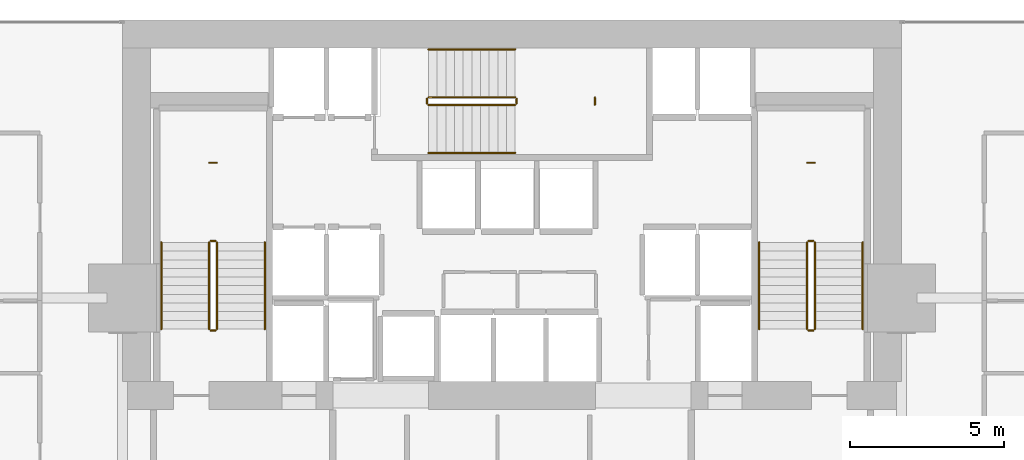
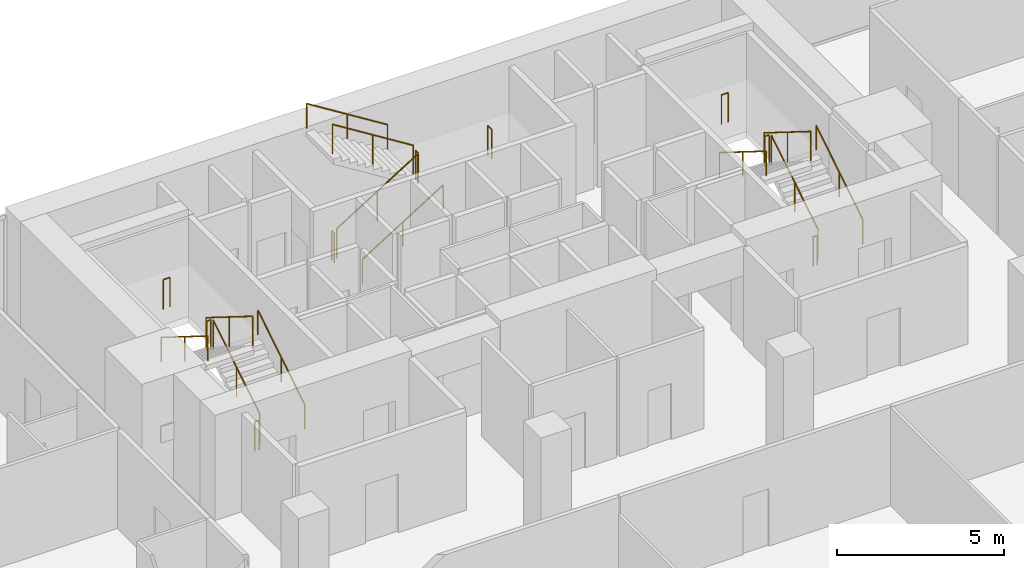
# One storey, part 41 of 41: 21 railings.
"""IFC4 building model written with IfcOpenShell, lengths in metres."""

from ifc_helpers import new_model, si_unit, direction, frame, origin, origin_2d, place, context, subcontext, project, spatial, circle, extrude, material, type_object, element, save


model = new_model("IFC4")

# Units and contexts
model_context = context("Model", 3, precision=1e-05, world=origin(), true_north=direction((0.0, 1.0)))
body_context = subcontext(model_context, "Body", "Model", "MODEL_VIEW")
ifc_project = project(units=[si_unit("LENGTHUNIT", "METRE"), si_unit("AREAUNIT", "SQUARE_METRE"), si_unit("VOLUMEUNIT", "CUBIC_METRE"), si_unit("PLANEANGLEUNIT", "RADIAN"), si_unit("MASSUNIT", "GRAM", prefix="KILO")], contexts=[model_context])

# Site, building, storey
site_placement = place(None, origin())
site = spatial("IfcSite", under=ifc_project, at=site_placement, CompositionType="ELEMENT")
building_placement = place(site_placement, origin())
building = spatial("IfcBuilding", under=site, at=building_placement, Name="Maruvema Waterfront Hotel and Observation Tower", CompositionType="ELEMENT")
storey_placement = place(building_placement, frame((0.0, 0.0, 61.60009765625)))
storey = spatial("IfcBuildingStorey", under=building, at=storey_placement, Name="L14", CompositionType="ELEMENT", Elevation=61.60009765625)

# Railings
ifc_material_1 = material(Name="Brushed stainless steel Grade 316", Category="steel")
railing_type_1 = type_object("IfcRailingType", Name="Ramp Continuous Wall Handrail 920 mm", PredefinedType="HANDRAIL", material=ifc_material_1)
railing_1_placement = place(storey_placement, frame((29.800048828125, 44.0, 0.1748046875)))
element("IfcRailing", 1, at=railing_1_placement, inside=storey, type_object=railing_type_1, Name="L14 ST-01 stair handrail 1", PredefinedType="HANDRAIL", context=body_context, shape_type="SweptSolid", body=[
    extrude(circle(Radius=0.02392578125, at=origin_2d()), frame((0.0, 0.0, 0.89599609375), z_axis=(0.0, 0.848002457836, 0.529992293815), x_axis=(-1.0, 0.0, 0.0)), (0.0, 0.0, 1.0), 3.302001953125),
    extrude(circle(Radius=0.02099609375, at=origin_2d()), origin(), (0.0, 0.0, 1.0), 0.871826171875),
    extrude(circle(Radius=0.02099609375, at=origin_2d()), frame((0.0, 1.39990234375, 0.875)), (0.0, 0.0, 1.0), 0.871826171875),
    extrude(circle(Radius=0.02099609375, at=origin_2d()), frame((0.0, 2.800048828125, 1.75)), (0.0, 0.0, 1.0), 0.871826171875),
])
railing_2_placement = place(storey_placement, frame((26.449951171875, 46.800048828125, 2.099853515625)))
element("IfcRailing", 2, at=railing_2_placement, inside=storey, type_object=railing_type_1, Name="L14 ST-01 stair handrail 2", PredefinedType="HANDRAIL", context=body_context, shape_type="SweptSolid", body=[
    extrude(circle(Radius=0.02392578125, at=origin_2d()), frame((0.0, 0.0, 0.89599609375), z_axis=(0.0, -0.848002457836, 0.529992293815), x_axis=(1.0, 0.0, 0.0)), (0.0, 0.0, 1.0), 3.302001953125),
    extrude(circle(Radius=0.02099609375, at=origin_2d()), origin(), (0.0, 0.0, 1.0), 0.871826171875),
    extrude(circle(Radius=0.02099609375, at=origin_2d()), frame((0.0, -1.39990234375, 0.875)), (0.0, 0.0, 1.0), 0.871826171875),
    extrude(circle(Radius=0.02099609375, at=origin_2d()), frame((0.0, -2.800048828125, 1.75)), (0.0, 0.0, 1.0), 0.871826171875),
])
railing_3_placement = place(storey_placement, frame((35.10009765625, 49.699951171875, 0.1748046875)))
element("IfcRailing", 3, at=railing_3_placement, inside=storey, type_object=railing_type_1, Name="L14 ST-02 stair handrail 1", PredefinedType="HANDRAIL", context=body_context, shape_type="SweptSolid", body=[
    extrude(circle(Radius=0.02392578125, at=origin_2d()), frame((0.0, 0.0, 0.89599609375), z_axis=(0.847981687118, 0.0, 0.530025526095), x_axis=(0.0, 1.0, 0.0)), (0.0, 0.0, 1.0), 3.3017578125),
    extrude(circle(Radius=0.02099609375, at=origin_2d()), origin(), (0.0, 0.0, 1.0), 0.871826171875),
    extrude(circle(Radius=0.02099609375, at=origin_2d()), frame((1.39990234375, 0.0, 0.875)), (0.0, 0.0, 1.0), 0.871826171875),
    extrude(circle(Radius=0.02099609375, at=origin_2d()), frame((2.7998046875, 0.0, 1.75)), (0.0, 0.0, 1.0), 0.871826171875),
])
railing_4_placement = place(storey_placement, frame((37.89990234375, 53.050048828125, 2.099853515625)))
element("IfcRailing", 4, at=railing_4_placement, inside=storey, type_object=railing_type_1, Name="L14 ST-02 stair handrail 2", PredefinedType="HANDRAIL", context=body_context, shape_type="SweptSolid", body=[
    extrude(circle(Radius=0.02392578125, at=origin_2d()), frame((0.0, 0.0, 0.89599609375), z_axis=(-0.847981687118, 0.0, 0.530025526095), x_axis=(0.0, -1.0, 0.0)), (0.0, 0.0, 1.0), 3.3017578125),
    extrude(circle(Radius=0.02099609375, at=origin_2d()), origin(), (0.0, 0.0, 1.0), 0.871826171875),
    extrude(circle(Radius=0.02099609375, at=origin_2d()), frame((-1.39990234375, 0.0, 0.875)), (0.0, 0.0, 1.0), 0.871826171875),
    extrude(circle(Radius=0.02099609375, at=origin_2d()), frame((-2.7998046875, 0.0, 1.75)), (0.0, 0.0, 1.0), 0.871826171875),
])
railing_5_placement = place(storey_placement, frame((49.14990234375, 44.0, 0.1748046875)))
element("IfcRailing", 5, at=railing_5_placement, inside=storey, type_object=railing_type_1, Name="L14 ST-03 stair handrail 1", PredefinedType="HANDRAIL", context=body_context, shape_type="SweptSolid", body=[
    extrude(circle(Radius=0.02392578125, at=origin_2d()), frame((0.0, 0.0, 0.89599609375), z_axis=(0.0, 0.848002457836, 0.529992293815), x_axis=(-1.0, 0.0, 0.0)), (0.0, 0.0, 1.0), 3.302001953125),
    extrude(circle(Radius=0.02099609375, at=origin_2d()), origin(), (0.0, 0.0, 1.0), 0.871826171875),
    extrude(circle(Radius=0.02099609375, at=origin_2d()), frame((0.0, 1.39990234375, 0.875)), (0.0, 0.0, 1.0), 0.871826171875),
    extrude(circle(Radius=0.02099609375, at=origin_2d()), frame((0.0, 2.800048828125, 1.75)), (0.0, 0.0, 1.0), 0.871826171875),
])
railing_6_placement = place(storey_placement, frame((45.800048828125, 46.800048828125, 2.099853515625)))
element("IfcRailing", 6, at=railing_6_placement, inside=storey, type_object=railing_type_1, Name="L14 ST-03 stair handrail 2", PredefinedType="HANDRAIL", context=body_context, shape_type="SweptSolid", body=[
    extrude(circle(Radius=0.02392578125, at=origin_2d()), frame((0.0, 0.0, 0.89599609375), z_axis=(0.0, -0.848002457836, 0.529992293815), x_axis=(1.0, 0.0, 0.0)), (0.0, 0.0, 1.0), 3.302001953125),
    extrude(circle(Radius=0.02099609375, at=origin_2d()), origin(), (0.0, 0.0, 1.0), 0.871826171875),
    extrude(circle(Radius=0.02099609375, at=origin_2d()), frame((0.0, -1.39990234375, 0.875)), (0.0, 0.0, 1.0), 0.871826171875),
    extrude(circle(Radius=0.02099609375, at=origin_2d()), frame((0.0, -2.800048828125, 1.75)), (0.0, 0.0, 1.0), 0.871826171875),
])
ifc_material_2 = material(Name="Brushed stainless steel Grade 316", Category="steel")
railing_type_2 = type_object("IfcRailingType", Name="Ramp and Terrace Guard Balustrade 1100 mm", PredefinedType="BALUSTRADE", material=ifc_material_2)
railing_7_placement = place(storey_placement, frame((28.25, 44.0, 0.1748046875)))
element("IfcRailing", 7, at=railing_7_placement, inside=storey, type_object=railing_type_2, Name="L14 ST-01 stair guard 1", PredefinedType="BALUSTRADE", context=body_context, shape_type="SweptSolid", body=[
    extrude(circle(Radius=0.02392578125, at=origin_2d()), frame((0.0, 0.0, 1.076171875), z_axis=(0.0, 0.848002457836, 0.529992293815), x_axis=(-1.0, 0.0, 0.0)), (0.0, 0.0, 1.0), 3.302001953125),
    extrude(circle(Radius=0.02099609375, at=origin_2d()), origin(), (0.0, 0.0, 1.0), 1.052001953125),
    extrude(circle(Radius=0.02099609375, at=origin_2d()), frame((0.0, 1.39990234375, 0.875)), (0.0, 0.0, 1.0), 1.052001953125),
    extrude(circle(Radius=0.02099609375, at=origin_2d()), frame((0.0, 2.800048828125, 1.75)), (0.0, 0.0, 1.0), 1.052001953125),
])
railing_8_placement = place(storey_placement, frame((28.199951171875, 46.85009765625, 1.9248046875)))
element("IfcRailing", 8, at=railing_8_placement, inside=storey, type_object=railing_type_2, Name="L14 ST-01 stair guard 2", PredefinedType="BALUSTRADE", context=body_context, shape_type="SweptSolid", body=[
    extrude(circle(Radius=0.02392578125, at=origin_2d()), frame((0.0, 0.0, 1.076171875), z_axis=(-1.0, 0.0, 0.0), x_axis=(0.0, -1.0, 0.0)), (0.0, 0.0, 1.0), 0.14990234375),
    extrude(circle(Radius=0.02099609375, at=origin_2d()), origin(), (0.0, 0.0, 1.0), 1.052001953125),
    extrude(circle(Radius=0.02099609375, at=origin_2d()), frame((-0.14990234375, 0.0, 0.0)), (0.0, 0.0, 1.0), 1.052001953125),
])
railing_9_placement = place(storey_placement, frame((28.0, 46.800048828125, 2.099853515625)))
element("IfcRailing", 9, at=railing_9_placement, inside=storey, type_object=railing_type_2, Name="L14 ST-01 stair guard 3", PredefinedType="BALUSTRADE", context=body_context, shape_type="SweptSolid", body=[
    extrude(circle(Radius=0.02392578125, at=origin_2d()), frame((0.0, 0.0, 1.076171875), z_axis=(0.0, -0.848002457836, 0.529992293815), x_axis=(1.0, 0.0, 0.0)), (0.0, 0.0, 1.0), 3.302001953125),
    extrude(circle(Radius=0.02099609375, at=origin_2d()), origin(), (0.0, 0.0, 1.0), 1.052001953125),
    extrude(circle(Radius=0.02099609375, at=origin_2d()), frame((0.0, -1.39990234375, 0.875)), (0.0, 0.0, 1.0), 1.052001953125),
    extrude(circle(Radius=0.02099609375, at=origin_2d()), frame((0.0, -2.800048828125, 1.75)), (0.0, 0.0, 1.0), 1.052001953125),
])
railing_10_placement = place(storey_placement, frame((28.199951171875, 43.949951171875, 0.0)))
element("IfcRailing", 10, at=railing_10_placement, inside=storey, type_object=railing_type_2, Name="L14 ST-01 stair guard 4", PredefinedType="BALUSTRADE", context=body_context, shape_type="SweptSolid", body=[
    extrude(circle(Radius=0.02392578125, at=origin_2d()), frame((0.0, 0.0, 1.076171875), z_axis=(-1.0, 0.0, 0.0), x_axis=(0.0, -1.0, 0.0)), (0.0, 0.0, 1.0), 0.14990234375),
    extrude(circle(Radius=0.02099609375, at=origin_2d()), origin(), (0.0, 0.0, 1.0), 1.052001953125),
    extrude(circle(Radius=0.02099609375, at=origin_2d()), frame((-0.14990234375, 0.0, 0.0)), (0.0, 0.0, 1.0), 1.052001953125),
])
railing_11_placement = place(storey_placement, frame((28.239990234375, 49.3798828125, 1.9248046875)))
element("IfcRailing", 11, at=railing_11_placement, inside=storey, type_object=railing_type_2, Name="L14 ST-01 Half-Landing Slot Guard", PredefinedType="BALUSTRADE", context=body_context, shape_type="SweptSolid", body=[
    extrude(circle(Radius=0.02392578125, at=origin_2d()), frame((0.0, 0.0, 1.076171875), z_axis=(-1.0, 0.0, 0.0), x_axis=(0.0, -1.0, 0.0)), (0.0, 0.0, 1.0), 0.22998046875),
    extrude(circle(Radius=0.02099609375, at=origin_2d()), origin(), (0.0, 0.0, 1.0), 1.052001953125),
    extrude(circle(Radius=0.02099609375, at=origin_2d()), frame((-0.22998046875, 0.0, 0.0)), (0.0, 0.0, 1.0), 1.052001953125),
])
railing_12_placement = place(storey_placement, frame((35.10009765625, 51.25, 0.1748046875)))
element("IfcRailing", 12, at=railing_12_placement, inside=storey, type_object=railing_type_2, Name="L14 ST-02 stair guard 1", PredefinedType="BALUSTRADE", context=body_context, shape_type="SweptSolid", body=[
    extrude(circle(Radius=0.02392578125, at=origin_2d()), frame((0.0, 0.0, 1.076171875), z_axis=(0.847981687118, 0.0, 0.530025526095), x_axis=(0.0, 1.0, 0.0)), (0.0, 0.0, 1.0), 3.3017578125),
    extrude(circle(Radius=0.02099609375, at=origin_2d()), origin(), (0.0, 0.0, 1.0), 1.052001953125),
    extrude(circle(Radius=0.02099609375, at=origin_2d()), frame((1.39990234375, 0.0, 0.875)), (0.0, 0.0, 1.0), 1.052001953125),
    extrude(circle(Radius=0.02099609375, at=origin_2d()), frame((2.7998046875, 0.0, 1.75)), (0.0, 0.0, 1.0), 1.052001953125),
])
railing_13_placement = place(storey_placement, frame((37.949951171875, 51.300048828125, 1.9248046875)))
element("IfcRailing", 13, at=railing_13_placement, inside=storey, type_object=railing_type_2, Name="L14 ST-02 stair guard 2", PredefinedType="BALUSTRADE", context=body_context, shape_type="SweptSolid", body=[
    extrude(circle(Radius=0.02392578125, at=origin_2d()), frame((0.0, 0.0, 1.076171875), z_axis=(0.0, 1.0, 0.0), x_axis=(-1.0, 0.0, 0.0)), (0.0, 0.0, 1.0), 0.14990234375),
    extrude(circle(Radius=0.02099609375, at=origin_2d()), origin(), (0.0, 0.0, 1.0), 1.052001953125),
    extrude(circle(Radius=0.02099609375, at=origin_2d()), frame((0.0, 0.14990234375, 0.0)), (0.0, 0.0, 1.0), 1.052001953125),
])
railing_14_placement = place(storey_placement, frame((37.89990234375, 51.5, 2.099853515625)))
element("IfcRailing", 14, at=railing_14_placement, inside=storey, type_object=railing_type_2, Name="L14 ST-02 stair guard 3", PredefinedType="BALUSTRADE", context=body_context, shape_type="SweptSolid", body=[
    extrude(circle(Radius=0.02392578125, at=origin_2d()), frame((0.0, 0.0, 1.076171875), z_axis=(-0.847981687118, 0.0, 0.530025526095), x_axis=(0.0, -1.0, 0.0)), (0.0, 0.0, 1.0), 3.3017578125),
    extrude(circle(Radius=0.02099609375, at=origin_2d()), origin(), (0.0, 0.0, 1.0), 1.052001953125),
    extrude(circle(Radius=0.02099609375, at=origin_2d()), frame((-1.39990234375, 0.0, 0.875)), (0.0, 0.0, 1.0), 1.052001953125),
    extrude(circle(Radius=0.02099609375, at=origin_2d()), frame((-2.7998046875, 0.0, 1.75)), (0.0, 0.0, 1.0), 1.052001953125),
])
railing_15_placement = place(storey_placement, frame((35.050048828125, 51.300048828125, 0.0)))
element("IfcRailing", 15, at=railing_15_placement, inside=storey, type_object=railing_type_2, Name="L14 ST-02 stair guard 4", PredefinedType="BALUSTRADE", context=body_context, shape_type="SweptSolid", body=[
    extrude(circle(Radius=0.02392578125, at=origin_2d()), frame((0.0, 0.0, 1.076171875), z_axis=(0.0, 1.0, 0.0), x_axis=(-1.0, 0.0, 0.0)), (0.0, 0.0, 1.0), 0.14990234375),
    extrude(circle(Radius=0.02099609375, at=origin_2d()), origin(), (0.0, 0.0, 1.0), 1.052001953125),
    extrude(circle(Radius=0.02099609375, at=origin_2d()), frame((0.0, 0.14990234375, 0.0)), (0.0, 0.0, 1.0), 1.052001953125),
])
railing_16_placement = place(storey_placement, frame((40.47998046875, 51.260009765625, 1.9248046875)))
element("IfcRailing", 16, at=railing_16_placement, inside=storey, type_object=railing_type_2, Name="L14 ST-02 Half-Landing Slot Guard", PredefinedType="BALUSTRADE", context=body_context, shape_type="SweptSolid", body=[
    extrude(circle(Radius=0.02392578125, at=origin_2d()), frame((0.0, 0.0, 1.076171875), z_axis=(0.0, 1.0, 0.0), x_axis=(-1.0, 0.0, 0.0)), (0.0, 0.0, 1.0), 0.22998046875),
    extrude(circle(Radius=0.02099609375, at=origin_2d()), origin(), (0.0, 0.0, 1.0), 1.052001953125),
    extrude(circle(Radius=0.02099609375, at=origin_2d()), frame((0.0, 0.22998046875, 0.0)), (0.0, 0.0, 1.0), 1.052001953125),
])
railing_17_placement = place(storey_placement, frame((47.60009765625, 44.0, 0.1748046875)))
element("IfcRailing", 17, at=railing_17_placement, inside=storey, type_object=railing_type_2, Name="L14 ST-03 stair guard 1", PredefinedType="BALUSTRADE", context=body_context, shape_type="SweptSolid", body=[
    extrude(circle(Radius=0.02392578125, at=origin_2d()), frame((0.0, 0.0, 1.076171875), z_axis=(0.0, 0.848002457836, 0.529992293815), x_axis=(-1.0, 0.0, 0.0)), (0.0, 0.0, 1.0), 3.302001953125),
    extrude(circle(Radius=0.02099609375, at=origin_2d()), origin(), (0.0, 0.0, 1.0), 1.052001953125),
    extrude(circle(Radius=0.02099609375, at=origin_2d()), frame((0.0, 1.39990234375, 0.875)), (0.0, 0.0, 1.0), 1.052001953125),
    extrude(circle(Radius=0.02099609375, at=origin_2d()), frame((0.0, 2.800048828125, 1.75)), (0.0, 0.0, 1.0), 1.052001953125),
])
railing_18_placement = place(storey_placement, frame((47.550048828125, 46.85009765625, 1.9248046875)))
element("IfcRailing", 18, at=railing_18_placement, inside=storey, type_object=railing_type_2, Name="L14 ST-03 stair guard 2", PredefinedType="BALUSTRADE", context=body_context, shape_type="SweptSolid", body=[
    extrude(circle(Radius=0.02392578125, at=origin_2d()), frame((0.0, 0.0, 1.076171875), z_axis=(-1.0, 0.0, 0.0), x_axis=(0.0, -1.0, 0.0)), (0.0, 0.0, 1.0), 0.150146484375),
    extrude(circle(Radius=0.02099609375, at=origin_2d()), origin(), (0.0, 0.0, 1.0), 1.052001953125),
    extrude(circle(Radius=0.02099609375, at=origin_2d()), frame((-0.150146484375, 0.0, 0.0)), (0.0, 0.0, 1.0), 1.052001953125),
])
railing_19_placement = place(storey_placement, frame((47.35009765625, 46.800048828125, 2.099853515625)))
element("IfcRailing", 19, at=railing_19_placement, inside=storey, type_object=railing_type_2, Name="L14 ST-03 stair guard 3", PredefinedType="BALUSTRADE", context=body_context, shape_type="SweptSolid", body=[
    extrude(circle(Radius=0.02392578125, at=origin_2d()), frame((0.0, 0.0, 1.076171875), z_axis=(0.0, -0.848002457836, 0.529992293815), x_axis=(1.0, 0.0, 0.0)), (0.0, 0.0, 1.0), 3.302001953125),
    extrude(circle(Radius=0.02099609375, at=origin_2d()), origin(), (0.0, 0.0, 1.0), 1.052001953125),
    extrude(circle(Radius=0.02099609375, at=origin_2d()), frame((0.0, -1.39990234375, 0.875)), (0.0, 0.0, 1.0), 1.052001953125),
    extrude(circle(Radius=0.02099609375, at=origin_2d()), frame((0.0, -2.800048828125, 1.75)), (0.0, 0.0, 1.0), 1.052001953125),
])
railing_20_placement = place(storey_placement, frame((47.550048828125, 43.949951171875, 0.0)))
element("IfcRailing", 20, at=railing_20_placement, inside=storey, type_object=railing_type_2, Name="L14 ST-03 stair guard 4", PredefinedType="BALUSTRADE", context=body_context, shape_type="SweptSolid", body=[
    extrude(circle(Radius=0.02392578125, at=origin_2d()), frame((0.0, 0.0, 1.076171875), z_axis=(-1.0, 0.0, 0.0), x_axis=(0.0, -1.0, 0.0)), (0.0, 0.0, 1.0), 0.150146484375),
    extrude(circle(Radius=0.02099609375, at=origin_2d()), origin(), (0.0, 0.0, 1.0), 1.052001953125),
    extrude(circle(Radius=0.02099609375, at=origin_2d()), frame((-0.150146484375, 0.0, 0.0)), (0.0, 0.0, 1.0), 1.052001953125),
])
railing_21_placement = place(storey_placement, frame((47.590087890625, 49.3798828125, 1.9248046875)))
element("IfcRailing", 21, at=railing_21_placement, inside=storey, type_object=railing_type_2, Name="L14 ST-03 Half-Landing Slot Guard", PredefinedType="BALUSTRADE", context=body_context, shape_type="SweptSolid", body=[
    extrude(circle(Radius=0.02392578125, at=origin_2d()), frame((0.0, 0.0, 1.076171875), z_axis=(-1.0, 0.0, 0.0), x_axis=(0.0, -1.0, 0.0)), (0.0, 0.0, 1.0), 0.22998046875),
    extrude(circle(Radius=0.02099609375, at=origin_2d()), origin(), (0.0, 0.0, 1.0), 1.052001953125),
    extrude(circle(Radius=0.02099609375, at=origin_2d()), frame((-0.22998046875, 0.0, 0.0)), (0.0, 0.0, 1.0), 1.052001953125),
])

save(model, "model.ifc")
